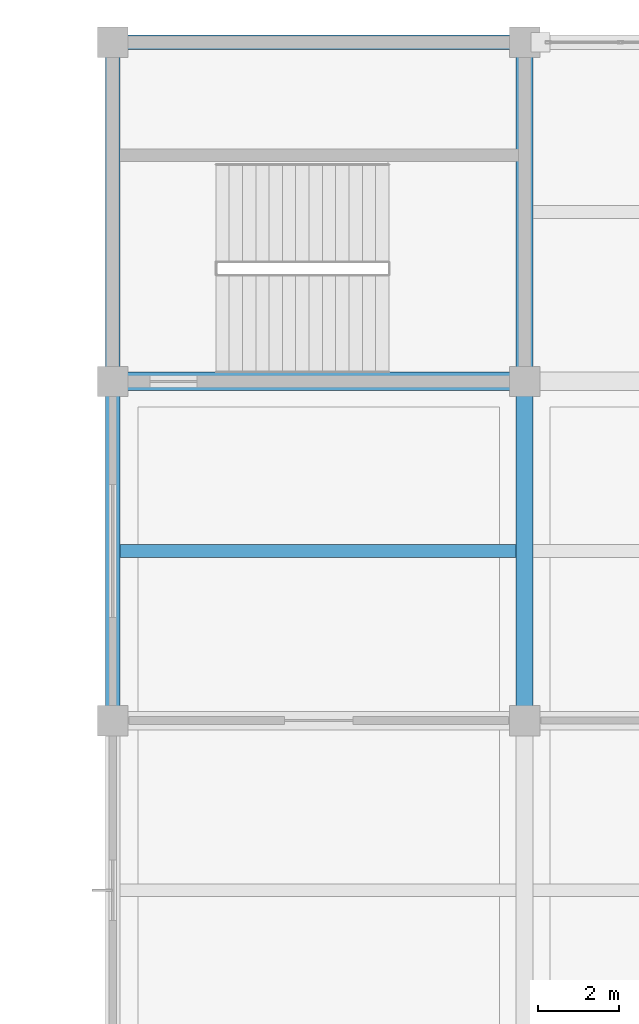
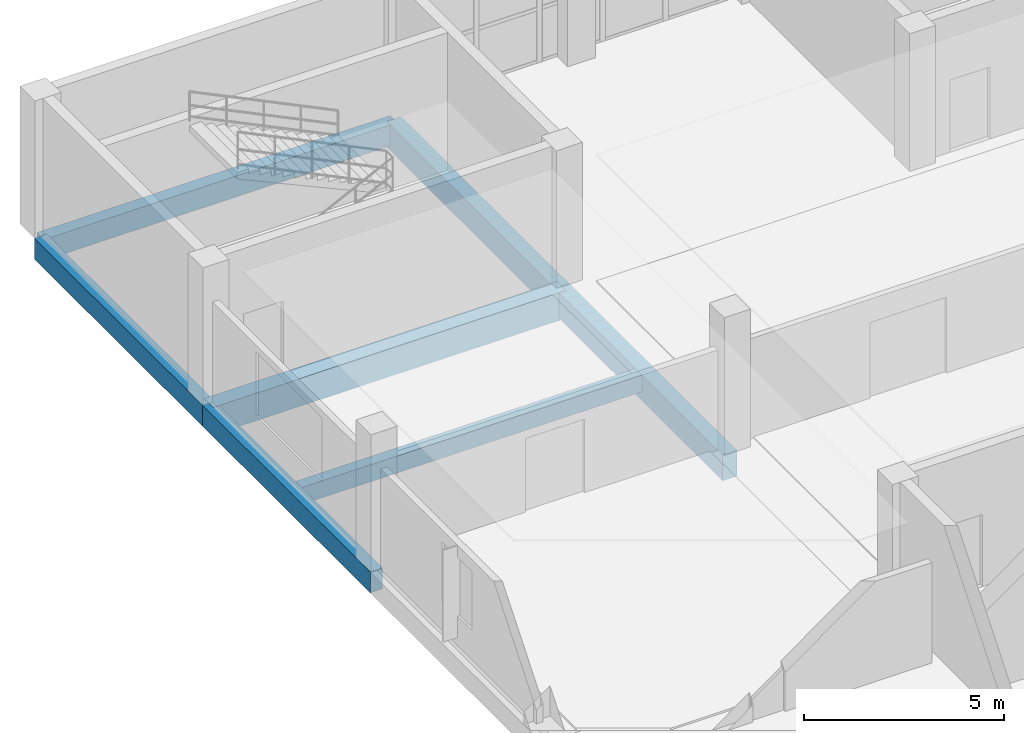
# One storey, part 86 of 157: 7 beams.
"""IFC4 building model written with IfcOpenShell, lengths in metres."""

import ifcopenshell
import ifcopenshell.guid

model = None  # the IFC model being written
_history = None  # IfcOwnerHistory: only IFC2X3 demands one
_inside = {}  # id of a spatial element -> (the spatial element, [elements in it])
_under = {}  # id of a project, library or spatial element -> (it, [spatial elements below it])
_declared = {}  # id of a project -> (the project, [libraries it declares])
_typed = {}  # id of a type object -> (the type object, [elements of that type])
_made_of = {}  # id of a material, layer set ... -> (it, [elements and type objects made of it])


def new_model(schema):
    """Start an empty IFC model of exactly this schema.

    Asked for "IFC4X3", IfcOpenShell would pick the latest addendum, in which some entities
    have other attributes; the version numbers below select the first issue.
    IFC2X3 requires an IfcOwnerHistory on every rooted entity: one is made here for all.
    """
    global model, _history
    if schema == "IFC4X3":
        model = ifcopenshell.file(schema_version=(4, 3, 0, 0))
    else:
        model = ifcopenshell.file(schema=schema)
    _inside.clear()
    _under.clear()
    _declared.clear()
    _typed.clear()
    _made_of.clear()
    _history = None
    if model.schema == "IFC2X3":
        org = make("IfcOrganization", Name="unknown")
        user = make(
            "IfcPersonAndOrganization",
            ThePerson=make("IfcPerson", FamilyName="unknown"),
            TheOrganization=org,
        )
        app = make(
            "IfcApplication",
            ApplicationDeveloper=org,
            Version="unknown",
            ApplicationFullName="unknown",
            ApplicationIdentifier="unknown",
        )
        _history = make(
            "IfcOwnerHistory",
            OwningUser=user,
            OwningApplication=app,
            ChangeAction="ADDED",
            CreationDate=0,
        )
    return model


def make(cls, **values):
    """One entity of the class cls with the attributes given. An attribute that is None is left unset."""
    return model.create_entity(
        cls, **{name: value for name, value in values.items() if value is not None}
    )


def rooted(cls, **values):
    """An entity with a GlobalId (a new one), such as an element, a storey or a relation."""
    return make(cls, GlobalId=ifcopenshell.guid.new(), OwnerHistory=_history, **values)


def si_unit(unit_type, name, prefix=None):
    """IfcSIUnit, for example si_unit("LENGTHUNIT", "METRE", prefix="MILLI")."""
    return make("IfcSIUnit", UnitType=unit_type, Prefix=prefix, Name=name)


def assignment(units):
    """IfcUnitAssignment: the units of a project."""
    return None if units is None else make("IfcUnitAssignment", Units=units)


def point(xyz):
    """IfcCartesianPoint."""
    return None if xyz is None else make("IfcCartesianPoint", Coordinates=xyz)


def direction(xyz):
    """IfcDirection."""
    return None if xyz is None else make("IfcDirection", DirectionRatios=xyz)


def frame(location, z_axis=None, x_axis=None):
    """IfcAxis2Placement3D, a coordinate frame: its origin and axes. An axis left out is left unset."""
    return make(
        "IfcAxis2Placement3D",
        Location=point(location),
        Axis=direction(z_axis),
        RefDirection=direction(x_axis),
    )


def frame_2d(location, x_axis=None):
    """IfcAxis2Placement2D, a coordinate frame in the plane: its origin and x axis."""
    return make(
        "IfcAxis2Placement2D", Location=point(location), RefDirection=direction(x_axis)
    )


def origin():
    """The frame at (0, 0, 0) with its axes left unset."""
    return frame((0.0, 0.0, 0.0))


def origin_2d():
    """The frame at (0, 0) in the plane with its x axis left unset."""
    return frame_2d((0.0, 0.0))


def place(relative_to, where):
    """IfcLocalPlacement: puts the frame where relative to a parent placement (None: the world)."""
    return make(
        "IfcLocalPlacement", PlacementRelTo=relative_to, RelativePlacement=where
    )


def context(
    kind, dimensions, precision=None, world=None, true_north=None, identifier=None
):
    """IfcGeometricRepresentationContext, for example the 3D "Model" context."""
    return make(
        "IfcGeometricRepresentationContext",
        ContextIdentifier=identifier,
        ContextType=kind,
        CoordinateSpaceDimension=dimensions,
        Precision=precision,
        WorldCoordinateSystem=world,
        TrueNorth=true_north,
    )


def subcontext(parent, identifier, kind, view, scale=None):
    """IfcGeometricRepresentationSubContext, for example "Body" below "Model"."""
    return make(
        "IfcGeometricRepresentationSubContext",
        ContextIdentifier=identifier,
        ContextType=kind,
        ParentContext=parent,
        TargetScale=scale,
        TargetView=view,
    )


def project(units=None, contexts=None):
    """IfcProject with its units and contexts."""
    return rooted(
        "IfcProject",
        Name="project",
        RepresentationContexts=contexts,
        UnitsInContext=assignment(units),
    )


def spatial(cls, under=None, at=None, **own):
    """A site, building, storey or space (cls), placed at a placement, below another one or the project."""
    s = rooted(cls, ObjectPlacement=at, **own)
    if under is not None:
        _under.setdefault(under.id(), (under, []))[1].append(s)
    return s


def profile(cls, at=None, kind="AREA", **sizes):
    """A parametric profile (cls). Its sizes go by their IFC names, for example OverallWidth=200.0."""
    return make(cls, ProfileType=kind, Position=at, **sizes)


def rectangle(**sizes):
    """IfcRectangleProfileDef."""
    return profile("IfcRectangleProfileDef", **sizes)


def extrude(swept, where, along, depth):
    """IfcExtrudedAreaSolid: the profile swept, set in the frame where, extruded along a direction by depth."""
    return make(
        "IfcExtrudedAreaSolid",
        SweptArea=swept,
        Position=where,
        ExtrudedDirection=direction(along),
        Depth=depth,
    )


def shape(context_of_items, identifier, shape_type, items):
    """IfcShapeRepresentation: the items that make up one representation, for example the "Body"."""
    return make(
        "IfcShapeRepresentation",
        ContextOfItems=context_of_items,
        RepresentationIdentifier=identifier,
        RepresentationType=shape_type,
        Items=items,
    )


def material(Name=None, Category=None):
    """IfcMaterial."""
    return make("IfcMaterial", Name=Name, Category=Category)


def material_profile(
    of_material, cross_section, Name=None, Category=None, Priority=None
):
    """IfcMaterialProfile: a cross section and its material."""
    return make(
        "IfcMaterialProfile",
        Name=Name,
        Material=of_material,
        Profile=cross_section,
        Priority=Priority,
        Category=Category,
    )


def profile_set(profiles, Name=None, composite=None):
    """IfcMaterialProfileSet."""
    return make(
        "IfcMaterialProfileSet",
        Name=Name,
        MaterialProfiles=profiles,
        CompositeProfile=composite,
    )


def made_of(thing, what):
    """Note that an element or type object is made of a material, layer set ...; save() writes the relation."""
    if what is not None:
        _made_of.setdefault(what.id(), (what, []))[1].append(thing)
    return thing


def type_object(cls, material=None, **own):
    """A type object (cls), such as IfcWallType, which elements share."""
    return made_of(rooted(cls, **own), material)


def element(
    cls,
    number,
    at=None,
    inside=None,
    cuts=None,
    type_object=None,
    material=None,
    context=None,
    identifier="Body",
    shape_type=None,
    held_by="IfcProductDefinitionShape",
    body=None,
    shapes=None,
    **own,
):
    """One element of the class cls, such as IfcWall. Its Tag is "e" and its number.

    at: its placement. inside: the storey or other place that contains it. cuts: it is an
    opening in that element (IfcRelVoidsElement). A single representation is given by context,
    identifier, shape_type and body (its items); several are given by shapes. held_by: the class
    of the entity that holds the representations. save() writes the other relations.
    """
    e = rooted(cls, Tag="e%d" % number, ObjectPlacement=at, **own)
    if body is not None:
        shapes = [shape(context, identifier, shape_type, body)]
    if shapes is not None:
        e.Representation = make(held_by, Representations=shapes)
    if inside is not None:
        _inside.setdefault(inside.id(), (inside, []))[1].append(e)
    if cuts is not None:
        rooted(
            "IfcRelVoidsElement", RelatingBuildingElement=cuts, RelatedOpeningElement=e
        )
    if type_object is not None:
        _typed.setdefault(type_object.id(), (type_object, []))[1].append(e)
    return made_of(e, material)


def aggregate(whole, parts):
    """IfcRelAggregates: a whole, such as a stair, and the parts it consists of."""
    return rooted("IfcRelAggregates", RelatingObject=whole, RelatedObjects=parts)


def save(model, path):
    """Write the relations noted so far, then the file.

    IfcRelAggregates (storeys below a building ...), IfcRelContainedInSpatialStructure (elements
    in a storey), IfcRelDefinesByType, IfcRelAssociatesMaterial and IfcRelDeclares: one each for
    every whole, place, type object, material and project.
    """
    for whole, parts in _under.values():
        aggregate(whole, parts)
    for where, things in _inside.values():
        rooted(
            "IfcRelContainedInSpatialStructure",
            RelatedElements=things,
            RelatingStructure=where,
        )
    for kind, things in _typed.values():
        rooted("IfcRelDefinesByType", RelatedObjects=things, RelatingType=kind)
    for what, things in _made_of.values():
        rooted("IfcRelAssociatesMaterial", RelatedObjects=things, RelatingMaterial=what)
    for by, libraries in _declared.values():
        rooted("IfcRelDeclares", RelatingContext=by, RelatedDefinitions=libraries)
    model.write(path)


model = new_model("IFC4")

# Units and contexts
model_context = context("Model", 3, precision=1e-05, world=origin(), true_north=direction((0.0, 1.0)))
body_context = subcontext(model_context, "Body", "Model", "MODEL_VIEW")
ifc_project = project(units=[si_unit("LENGTHUNIT", "METRE"), si_unit("AREAUNIT", "SQUARE_METRE"), si_unit("VOLUMEUNIT", "CUBIC_METRE"), si_unit("PLANEANGLEUNIT", "RADIAN"), si_unit("MASSUNIT", "GRAM", prefix="KILO")], contexts=[model_context])

# Site, building, storey
site_placement = place(None, origin())
site = spatial("IfcSite", under=ifc_project, at=site_placement, CompositionType="ELEMENT")
building_placement = place(site_placement, origin())
building = spatial("IfcBuilding", under=site, at=building_placement, Name="Brelvane Convention Centre", CompositionType="ELEMENT")
storey_placement = place(building_placement, frame((0.0, 0.0, 10.800048828125)))
storey = spatial("IfcBuildingStorey", under=building, at=storey_placement, Name="L02", CompositionType="ELEMENT", Elevation=10.800048828125)

# Beams
ifc_material_1 = material(Name="Concrete M40", Category="concrete")
ifc_material_profile_1 = material_profile(ifc_material_1, rectangle(XDim=0.4599609375, YDim=0.840087890625, at=origin_2d()), Name="RC 460x840")
ifc_profile_set_1 = profile_set([ifc_material_profile_1], Name="Concrete M40")
beam_type_1 = type_object("IfcBeamType", Name="RC Beam B-RC11 (RC 460x840)", PredefinedType="BEAM", material=ifc_profile_set_1)
beam_1_placement = place(storey_placement, frame((0.0, 135.60009765625, -0.699951171875), z_axis=(1.0, 0.0, 0.0), x_axis=(0.0, 1.0, 0.0)))
element("IfcBeam", 1, at=beam_1_placement, inside=storey, type_object=beam_type_1, Name="L02 Beam 1-2/P", PredefinedType="BEAM", context=body_context, shape_type="SweptSolid", body=[
    extrude(rectangle(XDim=0.4599609375, YDim=0.840087890625, at=origin_2d()), origin(), (0.0, 0.0, 1.0), 10.199951171875),
])
ifc_material_2 = material(Name="Concrete M40", Category="concrete")
ifc_material_profile_2 = material_profile(ifc_material_2, rectangle(XDim=0.419921875, YDim=0.780029296875, at=origin_2d()), Name="RC 420x780")
ifc_profile_set_2 = profile_set([ifc_material_profile_2], Name="Concrete M40")
beam_type_2 = type_object("IfcBeamType", Name="RC Beam B-RC12 (RC 420x780)", PredefinedType="BEAM", material=ifc_profile_set_2)
beam_2_placement = place(storey_placement, frame((10.199951171875, 127.199951171875, -0.670166015625), z_axis=(0.0, 1.0, 0.0), x_axis=(-1.0, 0.0, 0.0)))
element("IfcBeam", 2, at=beam_2_placement, inside=storey, type_object=beam_type_2, Name="L02 Girder 2/N-P", PredefinedType="BEAM", context=body_context, shape_type="SweptSolid", body=[
    extrude(rectangle(XDim=0.419921875, YDim=0.780029296875, at=origin_2d()), origin(), (0.0, 0.0, 1.0), 8.400146484375),
])
beam_3_placement = place(storey_placement, frame((10.199951171875, 135.60009765625, -0.670166015625), z_axis=(0.0, 1.0, 0.0), x_axis=(-1.0, 0.0, 0.0)))
element("IfcBeam", 3, at=beam_3_placement, inside=storey, type_object=beam_type_2, Name="L02 Girder 2/P-Q", PredefinedType="BEAM", context=body_context, shape_type="SweptSolid", body=[
    extrude(rectangle(XDim=0.419921875, YDim=0.780029296875, at=origin_2d()), origin(), (0.0, 0.0, 1.0), 8.39990234375),
])
ifc_material_3 = material(Name="Concrete M40", Category="concrete")
ifc_material_profile_3 = material_profile(ifc_material_3, rectangle(XDim=0.320068359375, YDim=0.52001953125, at=origin_2d()), Name="RC 320x520")
ifc_profile_set_3 = profile_set([ifc_material_profile_3], Name="Concrete M40")
beam_type_3 = type_object("IfcBeamType", Name="RC Joist J-RC4 (RC 320x520)", PredefinedType="JOIST", material=ifc_profile_set_3)
beam_4_placement = place(storey_placement, frame((0.179931640625, 131.39990234375, -0.5400390625), z_axis=(1.0, 0.0, 0.0), x_axis=(0.0, 1.0, 0.0)))
element("IfcBeam", 4, at=beam_4_placement, inside=storey, type_object=beam_type_3, Name="L02 Secondary Joist 1-2/NP", PredefinedType="JOIST", context=body_context, shape_type="SweptSolid", body=[
    extrude(rectangle(XDim=0.320068359375, YDim=0.52001953125, at=origin_2d()), origin(), (0.0, 0.0, 1.0), 9.81005859375),
])
ifc_material_4 = material(Name="Concrete M40", Category="concrete")
ifc_material_profile_4 = material_profile(ifc_material_4, rectangle(XDim=0.360107421875, YDim=0.639892578125, at=origin_2d()), Name="RC 360x640")
ifc_profile_set_4 = profile_set([ifc_material_profile_4], Name="Concrete M40")
beam_type_4 = type_object("IfcBeamType", Name="RC Spandrel SP-RC3 (RC 360x640)", PredefinedType="SPANDREL", material=ifc_profile_set_4)
beam_5_placement = place(storey_placement, frame((0.0, 144.0, -0.60009765625), z_axis=(1.0, 0.0, 0.0), x_axis=(0.0, 1.0, 0.0)))
element("IfcBeam", 5, at=beam_5_placement, inside=storey, type_object=beam_type_4, Name="L02 Beam 1-2/Q", PredefinedType="SPANDREL", context=body_context, shape_type="SweptSolid", body=[
    extrude(rectangle(XDim=0.360107421875, YDim=0.639892578125, at=origin_2d()), origin(), (0.0, 0.0, 1.0), 10.199951171875),
])
beam_6_placement = place(storey_placement, frame((0.0, 127.199951171875, -0.60009765625), z_axis=(0.0, 1.0, 0.0), x_axis=(-1.0, 0.0, 0.0)))
element("IfcBeam", 6, at=beam_6_placement, inside=storey, type_object=beam_type_4, Name="L02 Girder 1/N-P", PredefinedType="SPANDREL", context=body_context, shape_type="SweptSolid", body=[
    extrude(rectangle(XDim=0.360107421875, YDim=0.639892578125, at=origin_2d()), origin(), (0.0, 0.0, 1.0), 8.400146484375),
])
beam_7_placement = place(storey_placement, frame((0.0, 135.60009765625, -0.60009765625), z_axis=(0.0, 1.0, 0.0), x_axis=(-1.0, 0.0, 0.0)))
element("IfcBeam", 7, at=beam_7_placement, inside=storey, type_object=beam_type_4, Name="L02 Girder 1/P-Q", PredefinedType="SPANDREL", context=body_context, shape_type="SweptSolid", body=[
    extrude(rectangle(XDim=0.360107421875, YDim=0.639892578125, at=origin_2d()), origin(), (0.0, 0.0, 1.0), 8.39990234375),
])

save(model, "model.ifc")
